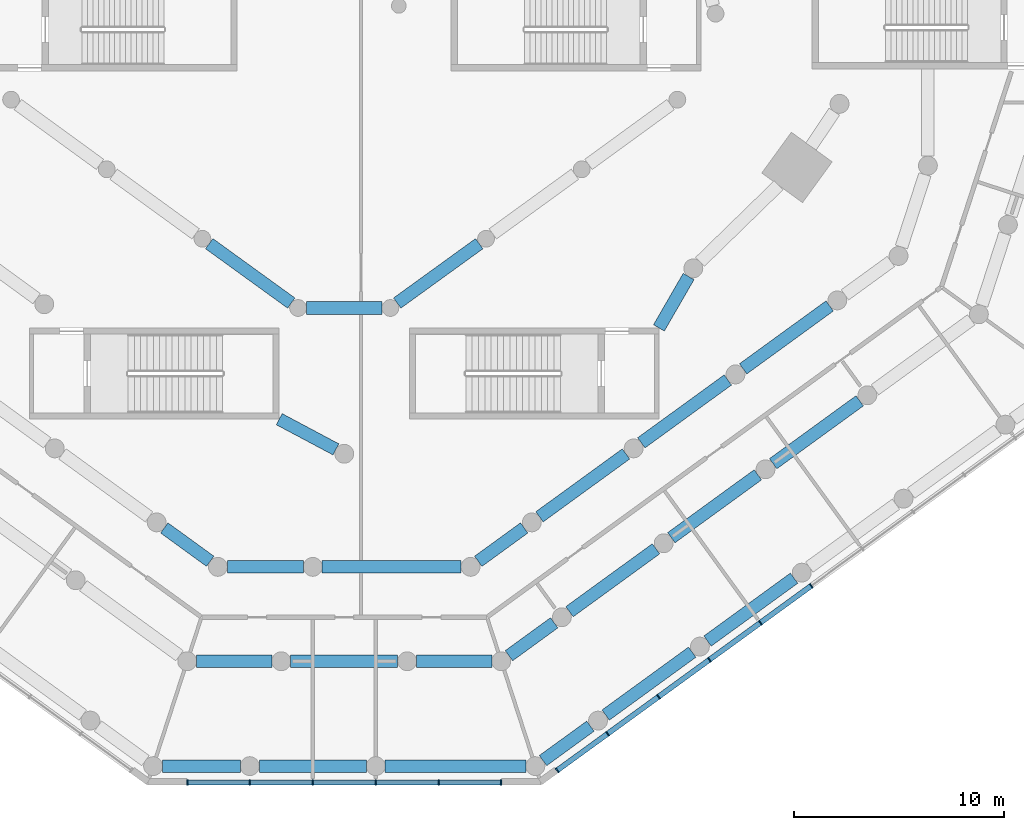
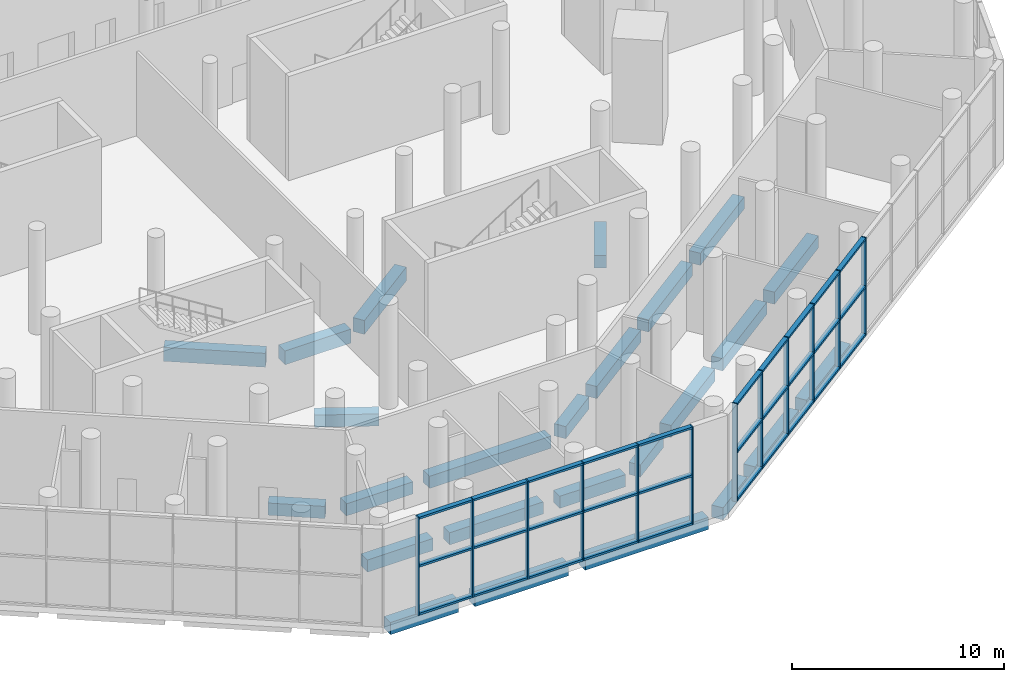
# One storey, part 4 of 23: 42 members, 25 beams, 2 elements without a shape of their own.
"""IFC4 building model written with IfcOpenShell, lengths in metres."""

from ifc_helpers import new_model, si_unit, direction, frame, origin, origin_2d, place, context, subcontext, project, spatial, rectangle, extrude, material, material_profile, profile_set, type_object, element, aggregate, save


model = new_model("IFC4")

# Units and contexts
model_context = context("Model", 3, precision=1e-05, world=origin(), true_north=direction((0.0, 1.0)))
body_context = subcontext(model_context, "Body", "Model", "MODEL_VIEW")
ifc_project = project(units=[si_unit("LENGTHUNIT", "METRE"), si_unit("AREAUNIT", "SQUARE_METRE"), si_unit("VOLUMEUNIT", "CUBIC_METRE"), si_unit("PLANEANGLEUNIT", "RADIAN"), si_unit("MASSUNIT", "GRAM", prefix="KILO")], contexts=[model_context])

# Site, building, storey
site_placement = place(None, origin())
site = spatial("IfcSite", under=ifc_project, at=site_placement, CompositionType="ELEMENT")
building_placement = place(site_placement, origin())
building = spatial("IfcBuilding", under=site, at=building_placement, Name="White Candle Pilgrim Tower", CompositionType="ELEMENT")
storey_placement = place(building_placement, frame((0.0, 0.0, 9.0)))
storey = spatial("IfcBuildingStorey", under=building, at=storey_placement, Name="L01", CompositionType="ELEMENT", Elevation=9.0)

# Curtain wall, members
ifc_material_1 = material(Name="Aluminium and glass", Category="aluminium")
curtain_wall_type = type_object("IfcCurtainWallType", Name="Curtain wall CW1 hall glazing", PredefinedType="NOTDEFINED", material=ifc_material_1)
curtain_wall_1_placement = place(storey_placement, origin())
curtain_wall_1 = element("IfcCurtainWall", 1, at=curtain_wall_1_placement, inside=storey, type_object=curtain_wall_type, Name="Curtain wall CW1 L01 S chamfer", PredefinedType="NOTDEFINED")
ifc_material_2 = material(Name="Aluminium", Category="aluminium")
ifc_material_profile_1 = material_profile(ifc_material_2, rectangle(XDim=0.25, YDim=0.06005859375, at=origin_2d()), Name="CW1 mullion 60x250")
ifc_profile_set_1 = profile_set([ifc_material_profile_1], Name="Aluminium")
member_type_1 = type_object("IfcMemberType", Name="CW1 mullion 60x250", PredefinedType="MULLION", material=ifc_profile_set_1)
member_1_placement = place(storey_placement, frame((62.530029296875, 23.986083984375, 0.0), z_axis=(0.0, 0.0, 1.0), x_axis=(0.0, 1.0, 0.0)))
member_1 = element("IfcMember", 2, at=member_1_placement, type_object=member_type_1, Name="CW1 mullion 1", PredefinedType="MULLION", context=body_context, shape_type="SweptSolid", body=[
    extrude(rectangle(XDim=0.25, YDim=0.06005859375, at=origin_2d()), origin(), (0.0, 0.0, 1.0), 5.64990234375),
])
member_2_placement = place(storey_placement, frame((65.5, 23.986083984375, 0.0), z_axis=(0.0, 0.0, 1.0), x_axis=(0.0, 1.0, 0.0)))
member_2 = element("IfcMember", 3, at=member_2_placement, type_object=member_type_1, Name="CW1 mullion 2", PredefinedType="MULLION", context=body_context, shape_type="SweptSolid", body=[
    extrude(rectangle(XDim=0.25, YDim=0.06005859375, at=origin_2d()), origin(), (0.0, 0.0, 1.0), 5.64990234375),
])
member_3_placement = place(storey_placement, frame((68.5, 23.986083984375, 0.0), z_axis=(0.0, 0.0, 1.0), x_axis=(0.0, 1.0, 0.0)))
member_3 = element("IfcMember", 4, at=member_3_placement, type_object=member_type_1, Name="CW1 mullion 3", PredefinedType="MULLION", context=body_context, shape_type="SweptSolid", body=[
    extrude(rectangle(XDim=0.25, YDim=0.06005859375, at=origin_2d()), origin(), (0.0, 0.0, 1.0), 5.64990234375),
])
member_4_placement = place(storey_placement, frame((71.5, 23.986083984375, 0.0), z_axis=(0.0, 0.0, 1.0), x_axis=(0.0, 1.0, 0.0)))
member_4 = element("IfcMember", 5, at=member_4_placement, type_object=member_type_1, Name="CW1 mullion 4", PredefinedType="MULLION", context=body_context, shape_type="SweptSolid", body=[
    extrude(rectangle(XDim=0.25, YDim=0.06005859375, at=origin_2d()), origin(), (0.0, 0.0, 1.0), 5.64990234375),
])
member_5_placement = place(storey_placement, frame((74.5, 23.986083984375, 0.0), z_axis=(0.0, 0.0, 1.0), x_axis=(0.0, 1.0, 0.0)))
member_5 = element("IfcMember", 6, at=member_5_placement, type_object=member_type_1, Name="CW1 mullion 5", PredefinedType="MULLION", context=body_context, shape_type="SweptSolid", body=[
    extrude(rectangle(XDim=0.25, YDim=0.06005859375, at=origin_2d()), origin(), (0.0, 0.0, 1.0), 5.64990234375),
])
member_6_placement = place(storey_placement, frame((77.469970703125, 23.986083984375, 0.0), z_axis=(0.0, 0.0, 1.0), x_axis=(0.0, 1.0, 0.0)))
member_6 = element("IfcMember", 7, at=member_6_placement, type_object=member_type_1, Name="CW1 mullion 6", PredefinedType="MULLION", context=body_context, shape_type="SweptSolid", body=[
    extrude(rectangle(XDim=0.25, YDim=0.06005859375, at=origin_2d()), origin(), (0.0, 0.0, 1.0), 5.64990234375),
])

curtain_wall_2_placement = place(storey_placement, origin())
curtain_wall_2 = element("IfcCurtainWall", 8, at=curtain_wall_2_placement, inside=storey, type_object=curtain_wall_type, Name="Curtain wall CW1 L01 SE", PredefinedType="NOTDEFINED")
member_7_placement = place(storey_placement, frame((80.1513671875, 24.559326171875, 0.0), z_axis=(0.0, 0.0, 1.0), x_axis=(-0.587785256853, 0.809016991061, 0.0)))
member_7 = element("IfcMember", 9, at=member_7_placement, type_object=member_type_1, Name="CW1 mullion 1", PredefinedType="MULLION", context=body_context, shape_type="SweptSolid", body=[
    extrude(rectangle(XDim=0.25, YDim=0.06005859375, at=origin_2d()), origin(), (0.0, 0.0, 1.0), 5.64990234375),
])
member_8_placement = place(storey_placement, frame((82.55419921875, 26.30517578125, 0.0), z_axis=(0.0, 0.0, 1.0), x_axis=(-0.587785256853, 0.809016991061, 0.0)))
member_8 = element("IfcMember", 10, at=member_8_placement, type_object=member_type_1, Name="CW1 mullion 2", PredefinedType="MULLION", context=body_context, shape_type="SweptSolid", body=[
    extrude(rectangle(XDim=0.25, YDim=0.06005859375, at=origin_2d()), origin(), (0.0, 0.0, 1.0), 5.64990234375),
])
member_9_placement = place(storey_placement, frame((84.981201171875, 28.068359375, 0.0), z_axis=(0.0, 0.0, 1.0), x_axis=(-0.587785256853, 0.809016991061, 0.0)))
member_9 = element("IfcMember", 11, at=member_9_placement, type_object=member_type_1, Name="CW1 mullion 3", PredefinedType="MULLION", context=body_context, shape_type="SweptSolid", body=[
    extrude(rectangle(XDim=0.25, YDim=0.06005859375, at=origin_2d()), origin(), (0.0, 0.0, 1.0), 5.64990234375),
])
member_10_placement = place(storey_placement, frame((87.408203125, 29.831787109375, 0.0), z_axis=(0.0, 0.0, 1.0), x_axis=(-0.587785256853, 0.809016991061, 0.0)))
member_10 = element("IfcMember", 12, at=member_10_placement, type_object=member_type_1, Name="CW1 mullion 4", PredefinedType="MULLION", context=body_context, shape_type="SweptSolid", body=[
    extrude(rectangle(XDim=0.25, YDim=0.06005859375, at=origin_2d()), origin(), (0.0, 0.0, 1.0), 5.64990234375),
])
member_11_placement = place(storey_placement, frame((89.835205078125, 31.59521484375, 0.0), z_axis=(0.0, 0.0, 1.0), x_axis=(-0.587785256853, 0.809016991061, 0.0)))
member_11 = element("IfcMember", 13, at=member_11_placement, type_object=member_type_1, Name="CW1 mullion 5", PredefinedType="MULLION", context=body_context, shape_type="SweptSolid", body=[
    extrude(rectangle(XDim=0.25, YDim=0.06005859375, at=origin_2d()), origin(), (0.0, 0.0, 1.0), 5.64990234375),
])
member_12_placement = place(storey_placement, frame((92.262451171875, 33.3583984375, 0.0), z_axis=(0.0, 0.0, 1.0), x_axis=(-0.587785256853, 0.809016991061, 0.0)))
member_12 = element("IfcMember", 14, at=member_12_placement, type_object=member_type_1, Name="CW1 mullion 6", PredefinedType="MULLION", context=body_context, shape_type="SweptSolid", body=[
    extrude(rectangle(XDim=0.25, YDim=0.06005859375, at=origin_2d()), origin(), (0.0, 0.0, 1.0), 5.64990234375),
])

# Member
ifc_material_profile_2 = material_profile(ifc_material_2, rectangle(XDim=0.25, YDim=0.1201171875, at=origin_2d()), Name="CW1 transom 120x250")
ifc_profile_set_2 = profile_set([ifc_material_profile_2], Name="Aluminium")
member_type_2 = type_object("IfcMemberType", Name="CW1 transom 120x250", PredefinedType="USERDEFINED", material=ifc_profile_set_2)
member_13_placement = place(storey_placement, frame((62.56005859375, 23.986083984375, 0.06005859375), z_axis=(1.0, 0.0, 0.0), x_axis=(0.0, 1.0, 0.0)))
member_13 = element("IfcMember", 15, at=member_13_placement, type_object=member_type_2, Name="CW1 transom 1.1", ObjectType="TRANSOM", PredefinedType="USERDEFINED", context=body_context, shape_type="SweptSolid", body=[
    extrude(rectangle(XDim=0.25, YDim=0.1201171875, at=origin_2d()), origin(), (0.0, 0.0, 1.0), 2.909912109375),
])

member_14_placement = place(storey_placement, frame((62.56005859375, 23.986083984375, 2.824951171875), z_axis=(1.0, 0.0, 0.0), x_axis=(0.0, 1.0, 0.0)))
member_14 = element("IfcMember", 16, at=member_14_placement, type_object=member_type_2, Name="CW1 transom 1.2", ObjectType="TRANSOM", PredefinedType="USERDEFINED", context=body_context, shape_type="SweptSolid", body=[
    extrude(rectangle(XDim=0.25, YDim=0.1201171875, at=origin_2d()), origin(), (0.0, 0.0, 1.0), 2.909912109375),
])

member_15_placement = place(storey_placement, frame((62.56005859375, 23.986083984375, 5.590087890625), z_axis=(1.0, 0.0, 0.0), x_axis=(0.0, 1.0, 0.0)))
member_15 = element("IfcMember", 17, at=member_15_placement, type_object=member_type_2, Name="CW1 transom 1.3", ObjectType="TRANSOM", PredefinedType="USERDEFINED", context=body_context, shape_type="SweptSolid", body=[
    extrude(rectangle(XDim=0.25, YDim=0.1201171875, at=origin_2d()), origin(), (0.0, 0.0, 1.0), 2.909912109375),
])

member_16_placement = place(storey_placement, frame((65.530029296875, 23.986083984375, 0.06005859375), z_axis=(1.0, 0.0, 0.0), x_axis=(0.0, 1.0, 0.0)))
member_16 = element("IfcMember", 18, at=member_16_placement, type_object=member_type_2, Name="CW1 transom 2.1", ObjectType="TRANSOM", PredefinedType="USERDEFINED", context=body_context, shape_type="SweptSolid", body=[
    extrude(rectangle(XDim=0.25, YDim=0.1201171875, at=origin_2d()), origin(), (0.0, 0.0, 1.0), 2.93994140625),
])

member_17_placement = place(storey_placement, frame((65.530029296875, 23.986083984375, 2.824951171875), z_axis=(1.0, 0.0, 0.0), x_axis=(0.0, 1.0, 0.0)))
member_17 = element("IfcMember", 19, at=member_17_placement, type_object=member_type_2, Name="CW1 transom 2.2", ObjectType="TRANSOM", PredefinedType="USERDEFINED", context=body_context, shape_type="SweptSolid", body=[
    extrude(rectangle(XDim=0.25, YDim=0.1201171875, at=origin_2d()), origin(), (0.0, 0.0, 1.0), 2.93994140625),
])

member_18_placement = place(storey_placement, frame((65.530029296875, 23.986083984375, 5.590087890625), z_axis=(1.0, 0.0, 0.0), x_axis=(0.0, 1.0, 0.0)))
member_18 = element("IfcMember", 20, at=member_18_placement, type_object=member_type_2, Name="CW1 transom 2.3", ObjectType="TRANSOM", PredefinedType="USERDEFINED", context=body_context, shape_type="SweptSolid", body=[
    extrude(rectangle(XDim=0.25, YDim=0.1201171875, at=origin_2d()), origin(), (0.0, 0.0, 1.0), 2.93994140625),
])

member_19_placement = place(storey_placement, frame((68.530029296875, 23.986083984375, 0.06005859375), z_axis=(1.0, 0.0, 0.0), x_axis=(0.0, 1.0, 0.0)))
member_19 = element("IfcMember", 21, at=member_19_placement, type_object=member_type_2, Name="CW1 transom 3.1", ObjectType="TRANSOM", PredefinedType="USERDEFINED", context=body_context, shape_type="SweptSolid", body=[
    extrude(rectangle(XDim=0.25, YDim=0.1201171875, at=origin_2d()), origin(), (0.0, 0.0, 1.0), 2.93994140625),
])

member_20_placement = place(storey_placement, frame((68.530029296875, 23.986083984375, 2.824951171875), z_axis=(1.0, 0.0, 0.0), x_axis=(0.0, 1.0, 0.0)))
member_20 = element("IfcMember", 22, at=member_20_placement, type_object=member_type_2, Name="CW1 transom 3.2", ObjectType="TRANSOM", PredefinedType="USERDEFINED", context=body_context, shape_type="SweptSolid", body=[
    extrude(rectangle(XDim=0.25, YDim=0.1201171875, at=origin_2d()), origin(), (0.0, 0.0, 1.0), 2.93994140625),
])

member_21_placement = place(storey_placement, frame((68.530029296875, 23.986083984375, 5.590087890625), z_axis=(1.0, 0.0, 0.0), x_axis=(0.0, 1.0, 0.0)))
member_21 = element("IfcMember", 23, at=member_21_placement, type_object=member_type_2, Name="CW1 transom 3.3", ObjectType="TRANSOM", PredefinedType="USERDEFINED", context=body_context, shape_type="SweptSolid", body=[
    extrude(rectangle(XDim=0.25, YDim=0.1201171875, at=origin_2d()), origin(), (0.0, 0.0, 1.0), 2.93994140625),
])

member_22_placement = place(storey_placement, frame((71.530029296875, 23.986083984375, 0.06005859375), z_axis=(1.0, 0.0, 0.0), x_axis=(0.0, 1.0, 0.0)))
member_22 = element("IfcMember", 24, at=member_22_placement, type_object=member_type_2, Name="CW1 transom 4.1", ObjectType="TRANSOM", PredefinedType="USERDEFINED", context=body_context, shape_type="SweptSolid", body=[
    extrude(rectangle(XDim=0.25, YDim=0.1201171875, at=origin_2d()), origin(), (0.0, 0.0, 1.0), 2.93994140625),
])

member_23_placement = place(storey_placement, frame((71.530029296875, 23.986083984375, 2.824951171875), z_axis=(1.0, 0.0, 0.0), x_axis=(0.0, 1.0, 0.0)))
member_23 = element("IfcMember", 25, at=member_23_placement, type_object=member_type_2, Name="CW1 transom 4.2", ObjectType="TRANSOM", PredefinedType="USERDEFINED", context=body_context, shape_type="SweptSolid", body=[
    extrude(rectangle(XDim=0.25, YDim=0.1201171875, at=origin_2d()), origin(), (0.0, 0.0, 1.0), 2.93994140625),
])

member_24_placement = place(storey_placement, frame((71.530029296875, 23.986083984375, 5.590087890625), z_axis=(1.0, 0.0, 0.0), x_axis=(0.0, 1.0, 0.0)))
member_24 = element("IfcMember", 26, at=member_24_placement, type_object=member_type_2, Name="CW1 transom 4.3", ObjectType="TRANSOM", PredefinedType="USERDEFINED", context=body_context, shape_type="SweptSolid", body=[
    extrude(rectangle(XDim=0.25, YDim=0.1201171875, at=origin_2d()), origin(), (0.0, 0.0, 1.0), 2.93994140625),
])

member_25_placement = place(storey_placement, frame((74.530029296875, 23.986083984375, 0.06005859375), z_axis=(1.0, 0.0, 0.0), x_axis=(0.0, 1.0, 0.0)))
member_25 = element("IfcMember", 27, at=member_25_placement, type_object=member_type_2, Name="CW1 transom 5.1", ObjectType="TRANSOM", PredefinedType="USERDEFINED", context=body_context, shape_type="SweptSolid", body=[
    extrude(rectangle(XDim=0.25, YDim=0.1201171875, at=origin_2d()), origin(), (0.0, 0.0, 1.0), 2.909912109375),
])

member_26_placement = place(storey_placement, frame((74.530029296875, 23.986083984375, 2.824951171875), z_axis=(1.0, 0.0, 0.0), x_axis=(0.0, 1.0, 0.0)))
member_26 = element("IfcMember", 28, at=member_26_placement, type_object=member_type_2, Name="CW1 transom 5.2", ObjectType="TRANSOM", PredefinedType="USERDEFINED", context=body_context, shape_type="SweptSolid", body=[
    extrude(rectangle(XDim=0.25, YDim=0.1201171875, at=origin_2d()), origin(), (0.0, 0.0, 1.0), 2.909912109375),
])

member_27_placement = place(storey_placement, frame((74.530029296875, 23.986083984375, 5.590087890625), z_axis=(1.0, 0.0, 0.0), x_axis=(0.0, 1.0, 0.0)))
member_27 = element("IfcMember", 29, at=member_27_placement, type_object=member_type_2, Name="CW1 transom 5.3", ObjectType="TRANSOM", PredefinedType="USERDEFINED", context=body_context, shape_type="SweptSolid", body=[
    extrude(rectangle(XDim=0.25, YDim=0.1201171875, at=origin_2d()), origin(), (0.0, 0.0, 1.0), 2.909912109375),
])

aggregate(curtain_wall_1, [member_1, member_2, member_3, member_4, member_5, member_6, member_13, member_14, member_15, member_16, member_17, member_18, member_19, member_20, member_21, member_22, member_23, member_24, member_25, member_26, member_27])

member_28_placement = place(storey_placement, frame((80.175537109375, 24.576904296875, 0.06005859375), z_axis=(0.809018973085, 0.587782528822, 0.0), x_axis=(-0.587782528822, 0.809018973085, 0.0)))
member_28 = element("IfcMember", 30, at=member_28_placement, type_object=member_type_2, Name="CW1 transom 1.1", ObjectType="TRANSOM", PredefinedType="USERDEFINED", context=body_context, shape_type="SweptSolid", body=[
    extrude(rectangle(XDim=0.25, YDim=0.1201171875, at=origin_2d()), origin(), (0.0, 0.0, 1.0), 2.909912109375),
])

member_29_placement = place(storey_placement, frame((80.175537109375, 24.576904296875, 2.824951171875), z_axis=(0.809018973085, 0.587782528822, 0.0), x_axis=(-0.587782528822, 0.809018973085, 0.0)))
member_29 = element("IfcMember", 31, at=member_29_placement, type_object=member_type_2, Name="CW1 transom 1.2", ObjectType="TRANSOM", PredefinedType="USERDEFINED", context=body_context, shape_type="SweptSolid", body=[
    extrude(rectangle(XDim=0.25, YDim=0.1201171875, at=origin_2d()), origin(), (0.0, 0.0, 1.0), 2.909912109375),
])

member_30_placement = place(storey_placement, frame((80.175537109375, 24.576904296875, 5.590087890625), z_axis=(0.809018973085, 0.587782528822, 0.0), x_axis=(-0.587782528822, 0.809018973085, 0.0)))
member_30 = element("IfcMember", 32, at=member_30_placement, type_object=member_type_2, Name="CW1 transom 1.3", ObjectType="TRANSOM", PredefinedType="USERDEFINED", context=body_context, shape_type="SweptSolid", body=[
    extrude(rectangle(XDim=0.25, YDim=0.1201171875, at=origin_2d()), origin(), (0.0, 0.0, 1.0), 2.909912109375),
])

member_31_placement = place(storey_placement, frame((82.578369140625, 26.32275390625, 0.06005859375), z_axis=(0.809044786541, 0.587746997756, 0.0), x_axis=(-0.587746997756, 0.809044786541, 0.0)))
member_31 = element("IfcMember", 33, at=member_31_placement, type_object=member_type_2, Name="CW1 transom 2.1", ObjectType="TRANSOM", PredefinedType="USERDEFINED", context=body_context, shape_type="SweptSolid", body=[
    extrude(rectangle(XDim=0.25, YDim=0.1201171875, at=origin_2d()), origin(), (0.0, 0.0, 1.0), 2.940185546875),
])

member_32_placement = place(storey_placement, frame((82.578369140625, 26.32275390625, 2.824951171875), z_axis=(0.809044786541, 0.587746997756, 0.0), x_axis=(-0.587746997756, 0.809044786541, 0.0)))
member_32 = element("IfcMember", 34, at=member_32_placement, type_object=member_type_2, Name="CW1 transom 2.2", ObjectType="TRANSOM", PredefinedType="USERDEFINED", context=body_context, shape_type="SweptSolid", body=[
    extrude(rectangle(XDim=0.25, YDim=0.1201171875, at=origin_2d()), origin(), (0.0, 0.0, 1.0), 2.940185546875),
])

member_33_placement = place(storey_placement, frame((82.578369140625, 26.32275390625, 5.590087890625), z_axis=(0.809044786541, 0.587746997756, 0.0), x_axis=(-0.587746997756, 0.809044786541, 0.0)))
member_33 = element("IfcMember", 35, at=member_33_placement, type_object=member_type_2, Name="CW1 transom 2.3", ObjectType="TRANSOM", PredefinedType="USERDEFINED", context=body_context, shape_type="SweptSolid", body=[
    extrude(rectangle(XDim=0.25, YDim=0.1201171875, at=origin_2d()), origin(), (0.0, 0.0, 1.0), 2.940185546875),
])

member_34_placement = place(storey_placement, frame((85.00537109375, 28.0859375, 0.06005859375), z_axis=(0.809005300669, 0.587801346961, 0.0), x_axis=(-0.587801346961, 0.809005300669, 0.0)))
member_34 = element("IfcMember", 36, at=member_34_placement, type_object=member_type_2, Name="CW1 transom 3.1", ObjectType="TRANSOM", PredefinedType="USERDEFINED", context=body_context, shape_type="SweptSolid", body=[
    extrude(rectangle(XDim=0.25, YDim=0.1201171875, at=origin_2d()), origin(), (0.0, 0.0, 1.0), 2.940185546875),
])

member_35_placement = place(storey_placement, frame((85.00537109375, 28.0859375, 2.824951171875), z_axis=(0.809005300669, 0.587801346961, 0.0), x_axis=(-0.587801346961, 0.809005300669, 0.0)))
member_35 = element("IfcMember", 37, at=member_35_placement, type_object=member_type_2, Name="CW1 transom 3.2", ObjectType="TRANSOM", PredefinedType="USERDEFINED", context=body_context, shape_type="SweptSolid", body=[
    extrude(rectangle(XDim=0.25, YDim=0.1201171875, at=origin_2d()), origin(), (0.0, 0.0, 1.0), 2.940185546875),
])

member_36_placement = place(storey_placement, frame((85.00537109375, 28.0859375, 5.590087890625), z_axis=(0.809005300669, 0.587801346961, 0.0), x_axis=(-0.587801346961, 0.809005300669, 0.0)))
member_36 = element("IfcMember", 38, at=member_36_placement, type_object=member_type_2, Name="CW1 transom 3.3", ObjectType="TRANSOM", PredefinedType="USERDEFINED", context=body_context, shape_type="SweptSolid", body=[
    extrude(rectangle(XDim=0.25, YDim=0.1201171875, at=origin_2d()), origin(), (0.0, 0.0, 1.0), 2.940185546875),
])

member_37_placement = place(storey_placement, frame((87.4326171875, 29.849365234375, 0.06005859375), z_axis=(0.809016098264, 0.587786485682, 0.0), x_axis=(-0.587786485682, 0.809016098264, 0.0)))
member_37 = element("IfcMember", 39, at=member_37_placement, type_object=member_type_2, Name="CW1 transom 4.1", ObjectType="TRANSOM", PredefinedType="USERDEFINED", context=body_context, shape_type="SweptSolid", body=[
    extrude(rectangle(XDim=0.25, YDim=0.1201171875, at=origin_2d()), origin(), (0.0, 0.0, 1.0), 2.93994140625),
])

member_38_placement = place(storey_placement, frame((87.4326171875, 29.849365234375, 2.824951171875), z_axis=(0.809016098264, 0.587786485682, 0.0), x_axis=(-0.587786485682, 0.809016098264, 0.0)))
member_38 = element("IfcMember", 40, at=member_38_placement, type_object=member_type_2, Name="CW1 transom 4.2", ObjectType="TRANSOM", PredefinedType="USERDEFINED", context=body_context, shape_type="SweptSolid", body=[
    extrude(rectangle(XDim=0.25, YDim=0.1201171875, at=origin_2d()), origin(), (0.0, 0.0, 1.0), 2.93994140625),
])

member_39_placement = place(storey_placement, frame((87.4326171875, 29.849365234375, 5.590087890625), z_axis=(0.809016098264, 0.587786485682, 0.0), x_axis=(-0.587786485682, 0.809016098264, 0.0)))
member_39 = element("IfcMember", 41, at=member_39_placement, type_object=member_type_2, Name="CW1 transom 4.3", ObjectType="TRANSOM", PredefinedType="USERDEFINED", context=body_context, shape_type="SweptSolid", body=[
    extrude(rectangle(XDim=0.25, YDim=0.1201171875, at=origin_2d()), origin(), (0.0, 0.0, 1.0), 2.93994140625),
])

member_40_placement = place(storey_placement, frame((89.859619140625, 31.61279296875, 0.06005859375), z_axis=(0.809016098264, 0.587786485682, 0.0), x_axis=(-0.587786485682, 0.809016098264, 0.0)))
member_40 = element("IfcMember", 42, at=member_40_placement, type_object=member_type_2, Name="CW1 transom 5.1", ObjectType="TRANSOM", PredefinedType="USERDEFINED", context=body_context, shape_type="SweptSolid", body=[
    extrude(rectangle(XDim=0.25, YDim=0.1201171875, at=origin_2d()), origin(), (0.0, 0.0, 1.0), 2.93994140625),
])

member_41_placement = place(storey_placement, frame((89.859619140625, 31.61279296875, 2.824951171875), z_axis=(0.809016098264, 0.587786485682, 0.0), x_axis=(-0.587786485682, 0.809016098264, 0.0)))
member_41 = element("IfcMember", 43, at=member_41_placement, type_object=member_type_2, Name="CW1 transom 5.2", ObjectType="TRANSOM", PredefinedType="USERDEFINED", context=body_context, shape_type="SweptSolid", body=[
    extrude(rectangle(XDim=0.25, YDim=0.1201171875, at=origin_2d()), origin(), (0.0, 0.0, 1.0), 2.93994140625),
])

member_42_placement = place(storey_placement, frame((89.859619140625, 31.61279296875, 5.590087890625), z_axis=(0.809016098264, 0.587786485682, 0.0), x_axis=(-0.587786485682, 0.809016098264, 0.0)))
member_42 = element("IfcMember", 44, at=member_42_placement, type_object=member_type_2, Name="CW1 transom 5.3", ObjectType="TRANSOM", PredefinedType="USERDEFINED", context=body_context, shape_type="SweptSolid", body=[
    extrude(rectangle(XDim=0.25, YDim=0.1201171875, at=origin_2d()), origin(), (0.0, 0.0, 1.0), 2.93994140625),
])

aggregate(curtain_wall_2, [member_7, member_8, member_9, member_10, member_11, member_12, member_28, member_29, member_30, member_31, member_32, member_33, member_34, member_35, member_36, member_37, member_38, member_39, member_40, member_41, member_42])

# Beams
ifc_material_3 = material(Name="Concrete C50/60", Category="concrete")
ifc_material_profile_3 = material_profile(ifc_material_3, rectangle(XDim=0.60009765625, YDim=0.800048828125, at=origin_2d()), Name="RC-BM 600x800")
ifc_profile_set_3 = profile_set([ifc_material_profile_3], Name="Concrete C50/60")
beam_type_1 = type_object("IfcBeamType", Name="Ring beam RC-BM 600x800 C50/60", PredefinedType="BEAM", material=ifc_profile_set_3)
beam_1_placement = place(storey_placement, frame((63.56396484375, 49.66552734375, -0.75), z_axis=(0.810124276712, -0.586258182273, 0.0), x_axis=(0.586258182273, 0.810124276712, 0.0)))
element("IfcBeam", 45, at=beam_1_placement, inside=storey, type_object=beam_type_1, Name="L01 ring beam R03", PredefinedType="BEAM", context=body_context, shape_type="SweptSolid", body=[
    extrude(rectangle(XDim=0.60009765625, YDim=0.800048828125, at=origin_2d()), origin(), (0.0, 0.0, 1.0), 4.8291015625),
])
beam_2_placement = place(storey_placement, frame((68.199951171875, 46.60009765625, -0.75), z_axis=(1.0, 0.0, 0.0), x_axis=(0.0, 1.0, 0.0)))
element("IfcBeam", 46, at=beam_2_placement, inside=storey, type_object=beam_type_1, Name="L01 ring beam R04", PredefinedType="BEAM", context=body_context, shape_type="SweptSolid", body=[
    extrude(rectangle(XDim=0.60009765625, YDim=0.800048828125, at=origin_2d()), origin(), (0.0, 0.0, 1.0), 3.60009765625),
])
beam_3_placement = place(storey_placement, frame((72.52392578125, 46.83447265625, -0.75), z_axis=(0.810124276712, 0.586258182273, 0.0), x_axis=(-0.586258182273, 0.810124276712, 0.0)))
element("IfcBeam", 47, at=beam_3_placement, inside=storey, type_object=beam_type_1, Name="L01 ring beam R05", PredefinedType="BEAM", context=body_context, shape_type="SweptSolid", body=[
    extrude(rectangle(XDim=0.60009765625, YDim=0.800048828125, at=origin_2d()), origin(), (0.0, 0.0, 1.0), 4.8291015625),
])
ifc_material_profile_4 = material_profile(ifc_material_3, rectangle(XDim=0.60009765625, YDim=0.699951171875, at=origin_2d()), Name="RC-BM 600x700")
ifc_profile_set_4 = profile_set([ifc_material_profile_4], Name="Concrete C50/60")
beam_type_2 = type_object("IfcBeamType", Name="Spandrel beam RC-BM 600x700 C50/60", PredefinedType="BEAM", material=ifc_profile_set_4)
beam_4_placement = place(storey_placement, frame((69.60302734375, 39.861328125, -0.699951171875), z_axis=(-0.882752092562, 0.469839060826, 0.0), x_axis=(-0.469839060826, -0.882752092562, 0.0)))
element("IfcBeam", 48, at=beam_4_placement, inside=storey, type_object=beam_type_2, Name="L01 spandrel beam T04", PredefinedType="BEAM", context=body_context, shape_type="SweptSolid", body=[
    extrude(rectangle(XDim=0.60009765625, YDim=0.699951171875, at=origin_2d()), origin(), (0.0, 0.0, 1.0), 3.062255859375),
])
beam_5_placement = place(storey_placement, frame((86.4150390625, 48.100341796875, -0.699951171875), z_axis=(-0.500073465784, -0.865982984139, 0.0), x_axis=(0.865982984139, -0.500073465784, 0.0)))
element("IfcBeam", 49, at=beam_5_placement, inside=storey, type_object=beam_type_2, Name="L01 spandrel beam T05", PredefinedType="BEAM", context=body_context, shape_type="SweptSolid", body=[
    extrude(rectangle(XDim=0.60009765625, YDim=0.699951171875, at=origin_2d()), origin(), (0.0, 0.0, 1.0), 2.82958984375),
])
beam_6_placement = place(storey_placement, frame((61.339111328125, 24.760986328125, -0.699951171875), z_axis=(1.0, 0.0, 0.0), x_axis=(0.0, 1.0, 0.0)))
element("IfcBeam", 50, at=beam_6_placement, inside=storey, type_object=beam_type_2, Name="L01 spandrel beam A10", PredefinedType="BEAM", context=body_context, shape_type="SweptSolid", body=[
    extrude(rectangle(XDim=0.60009765625, YDim=0.699951171875, at=origin_2d()), origin(), (0.0, 0.0, 1.0), 3.7109375),
])
beam_7_placement = place(storey_placement, frame((65.949951171875, 24.760986328125, -0.699951171875), z_axis=(1.0, 0.0, 0.0), x_axis=(0.0, 1.0, 0.0)))
element("IfcBeam", 51, at=beam_7_placement, inside=storey, type_object=beam_type_2, Name="L01 spandrel beam A11", PredefinedType="BEAM", context=body_context, shape_type="SweptSolid", body=[
    extrude(rectangle(XDim=0.60009765625, YDim=0.699951171875, at=origin_2d()), origin(), (0.0, 0.0, 1.0), 5.10009765625),
])
beam_8_placement = place(storey_placement, frame((71.949951171875, 24.760986328125, -0.699951171875), z_axis=(1.0, 0.0, 0.0), x_axis=(0.0, 1.0, 0.0)))
element("IfcBeam", 52, at=beam_8_placement, inside=storey, type_object=beam_type_2, Name="L01 spandrel beam A12", PredefinedType="BEAM", context=body_context, shape_type="SweptSolid", body=[
    extrude(rectangle(XDim=0.60009765625, YDim=0.699951171875, at=origin_2d()), origin(), (0.0, 0.0, 1.0), 6.7109375),
])
beam_9_placement = place(storey_placement, frame((79.474853515625, 25.025390625, -0.699951171875), z_axis=(0.809030737429, 0.587766336136, 0.0), x_axis=(-0.587766336136, 0.809030737429, 0.0)))
element("IfcBeam", 53, at=beam_9_placement, inside=storey, type_object=beam_type_2, Name="L01 spandrel beam A13", PredefinedType="BEAM", context=body_context, shape_type="SweptSolid", body=[
    extrude(rectangle(XDim=0.60009765625, YDim=0.699951171875, at=origin_2d()), origin(), (0.0, 0.0, 1.0), 2.793701171875),
])
beam_10_placement = place(storey_placement, frame((82.462890625, 27.1962890625, -0.699951171875), z_axis=(0.808978190317, 0.587838657789, 0.0), x_axis=(-0.587838657789, 0.808978190317, 0.0)))
element("IfcBeam", 54, at=beam_10_placement, inside=storey, type_object=beam_type_2, Name="L01 spandrel beam A14", PredefinedType="BEAM", context=body_context, shape_type="SweptSolid", body=[
    extrude(rectangle(XDim=0.60009765625, YDim=0.699951171875, at=origin_2d()), origin(), (0.0, 0.0, 1.0), 5.1005859375),
])
beam_11_placement = place(storey_placement, frame((87.31689453125, 30.723388671875, -0.699951171875), z_axis=(0.809069240735, 0.587713334625, 0.0), x_axis=(-0.587713334625, 0.809069240735, 0.0)))
element("IfcBeam", 55, at=beam_11_placement, inside=storey, type_object=beam_type_2, Name="L01 spandrel beam A15", PredefinedType="BEAM", context=body_context, shape_type="SweptSolid", body=[
    extrude(rectangle(XDim=0.60009765625, YDim=0.699951171875, at=origin_2d()), origin(), (0.0, 0.0, 1.0), 5.099853515625),
])
beam_12_placement = place(storey_placement, frame((62.964111328125, 29.760986328125, -0.699951171875), z_axis=(1.0, 0.0, 0.0), x_axis=(0.0, 1.0, 0.0)))
element("IfcBeam", 56, at=beam_12_placement, inside=storey, type_object=beam_type_2, Name="L01 spandrel beam B08", PredefinedType="BEAM", context=body_context, shape_type="SweptSolid", body=[
    extrude(rectangle(XDim=0.60009765625, YDim=0.699951171875, at=origin_2d()), origin(), (0.0, 0.0, 1.0), 3.5859375),
])
beam_13_placement = place(storey_placement, frame((67.449951171875, 29.760986328125, -0.699951171875), z_axis=(1.0, 0.0, 0.0), x_axis=(0.0, 1.0, 0.0)))
element("IfcBeam", 57, at=beam_13_placement, inside=storey, type_object=beam_type_2, Name="L01 spandrel beam B09", PredefinedType="BEAM", context=body_context, shape_type="SweptSolid", body=[
    extrude(rectangle(XDim=0.60009765625, YDim=0.699951171875, at=origin_2d()), origin(), (0.0, 0.0, 1.0), 5.10009765625),
])
beam_14_placement = place(storey_placement, frame((73.449951171875, 29.760986328125, -0.699951171875), z_axis=(1.0, 0.0, 0.0), x_axis=(0.0, 1.0, 0.0)))
element("IfcBeam", 58, at=beam_14_placement, inside=storey, type_object=beam_type_2, Name="L01 spandrel beam B10", PredefinedType="BEAM", context=body_context, shape_type="SweptSolid", body=[
    extrude(rectangle(XDim=0.60009765625, YDim=0.699951171875, at=origin_2d()), origin(), (0.0, 0.0, 1.0), 3.5859375),
])
beam_15_placement = place(storey_placement, frame((77.849853515625, 30.025390625, -0.699951171875), z_axis=(0.808985185051, 0.58782903158, 0.0), x_axis=(-0.58782903158, 0.808985185051, 0.0)))
element("IfcBeam", 59, at=beam_15_placement, inside=storey, type_object=beam_type_2, Name="L01 spandrel beam B11", PredefinedType="BEAM", context=body_context, shape_type="SweptSolid", body=[
    extrude(rectangle(XDim=0.60009765625, YDim=0.699951171875, at=origin_2d()), origin(), (0.0, 0.0, 1.0), 2.669189453125),
])
beam_16_placement = place(storey_placement, frame((80.73681640625, 32.123291015625, -0.699951171875), z_axis=(0.808978190317, 0.587838657789, 0.0), x_axis=(-0.587838657789, 0.808978190317, 0.0)))
element("IfcBeam", 60, at=beam_16_placement, inside=storey, type_object=beam_type_2, Name="L01 spandrel beam B12", PredefinedType="BEAM", context=body_context, shape_type="SweptSolid", body=[
    extrude(rectangle(XDim=0.60009765625, YDim=0.699951171875, at=origin_2d()), origin(), (0.0, 0.0, 1.0), 5.1005859375),
])
beam_17_placement = place(storey_placement, frame((85.5908203125, 35.650390625, -0.699951171875), z_axis=(0.809069240735, 0.587713334625, 0.0), x_axis=(-0.587713334625, 0.809069240735, 0.0)))
element("IfcBeam", 61, at=beam_17_placement, inside=storey, type_object=beam_type_2, Name="L01 spandrel beam B13", PredefinedType="BEAM", context=body_context, shape_type="SweptSolid", body=[
    extrude(rectangle(XDim=0.60009765625, YDim=0.699951171875, at=origin_2d()), origin(), (0.0, 0.0, 1.0), 5.099853515625),
])
beam_18_placement = place(storey_placement, frame((90.44482421875, 39.17626953125, -0.699951171875), z_axis=(0.809021578494, 0.587778942742, 0.0), x_axis=(-0.587778942742, 0.809021578494, 0.0)))
element("IfcBeam", 62, at=beam_18_placement, inside=storey, type_object=beam_type_2, Name="L01 spandrel beam B14", PredefinedType="BEAM", context=body_context, shape_type="SweptSolid", body=[
    extrude(rectangle(XDim=0.60009765625, YDim=0.699951171875, at=origin_2d()), origin(), (0.0, 0.0, 1.0), 5.1015625),
])
beam_19_placement = place(storey_placement, frame((61.421875, 36.11669921875, -0.699951171875), z_axis=(0.809008975915, -0.587796288598, 0.0), x_axis=(0.587796288598, 0.809008975915, 0.0)))
element("IfcBeam", 63, at=beam_19_placement, inside=storey, type_object=beam_type_2, Name="L01 spandrel beam C06", PredefinedType="BEAM", context=body_context, shape_type="SweptSolid", body=[
    extrude(rectangle(XDim=0.60009765625, YDim=0.699951171875, at=origin_2d()), origin(), (0.0, 0.0, 1.0), 2.707275390625),
])
beam_20_placement = place(storey_placement, frame((64.426025390625, 34.260986328125, -0.699951171875), z_axis=(1.0, 0.0, 0.0), x_axis=(0.0, 1.0, 0.0)))
element("IfcBeam", 64, at=beam_20_placement, inside=storey, type_object=beam_type_2, Name="L01 spandrel beam C07", PredefinedType="BEAM", context=body_context, shape_type="SweptSolid", body=[
    extrude(rectangle(XDim=0.60009765625, YDim=0.699951171875, at=origin_2d()), origin(), (0.0, 0.0, 1.0), 3.6240234375),
])
beam_21_placement = place(storey_placement, frame((68.949951171875, 34.260986328125, -0.699951171875), z_axis=(1.0, 0.0, 0.0), x_axis=(0.0, 1.0, 0.0)))
element("IfcBeam", 65, at=beam_21_placement, inside=storey, type_object=beam_type_2, Name="L01 spandrel beam C08", PredefinedType="BEAM", context=body_context, shape_type="SweptSolid", body=[
    extrude(rectangle(XDim=0.60009765625, YDim=0.699951171875, at=origin_2d()), origin(), (0.0, 0.0, 1.0), 6.6240234375),
])
beam_22_placement = place(storey_placement, frame((76.387939453125, 34.525390625, -0.699951171875), z_axis=(0.809008975915, 0.587796288598, 0.0), x_axis=(-0.587796288598, 0.809008975915, 0.0)))
element("IfcBeam", 66, at=beam_22_placement, inside=storey, type_object=beam_type_2, Name="L01 spandrel beam C09", PredefinedType="BEAM", context=body_context, shape_type="SweptSolid", body=[
    extrude(rectangle(XDim=0.60009765625, YDim=0.699951171875, at=origin_2d()), origin(), (0.0, 0.0, 1.0), 2.707275390625),
])
beam_23_placement = place(storey_placement, frame((79.305908203125, 36.6455078125, -0.699951171875), z_axis=(0.80900095282, 0.587807330965, 0.0), x_axis=(-0.587807330965, 0.80900095282, 0.0)))
element("IfcBeam", 67, at=beam_23_placement, inside=storey, type_object=beam_type_2, Name="L01 spandrel beam C10", PredefinedType="BEAM", context=body_context, shape_type="SweptSolid", body=[
    extrude(rectangle(XDim=0.60009765625, YDim=0.699951171875, at=origin_2d()), origin(), (0.0, 0.0, 1.0), 5.100341796875),
])
beam_24_placement = place(storey_placement, frame((84.159912109375, 40.17236328125, -0.699951171875), z_axis=(0.809069240735, 0.587713334625, 0.0), x_axis=(-0.587713334625, 0.809069240735, 0.0)))
element("IfcBeam", 68, at=beam_24_placement, inside=storey, type_object=beam_type_2, Name="L01 spandrel beam C11", PredefinedType="BEAM", context=body_context, shape_type="SweptSolid", body=[
    extrude(rectangle(XDim=0.60009765625, YDim=0.699951171875, at=origin_2d()), origin(), (0.0, 0.0, 1.0), 5.099853515625),
])
beam_25_placement = place(storey_placement, frame((89.013916015625, 43.698486328125, -0.699951171875), z_axis=(0.80900095282, 0.587807330965, 0.0), x_axis=(-0.587807330965, 0.80900095282, 0.0)))
element("IfcBeam", 69, at=beam_25_placement, inside=storey, type_object=beam_type_2, Name="L01 spandrel beam C12", PredefinedType="BEAM", context=body_context, shape_type="SweptSolid", body=[
    extrude(rectangle(XDim=0.60009765625, YDim=0.699951171875, at=origin_2d()), origin(), (0.0, 0.0, 1.0), 5.100341796875),
])

save(model, "model.ifc")
